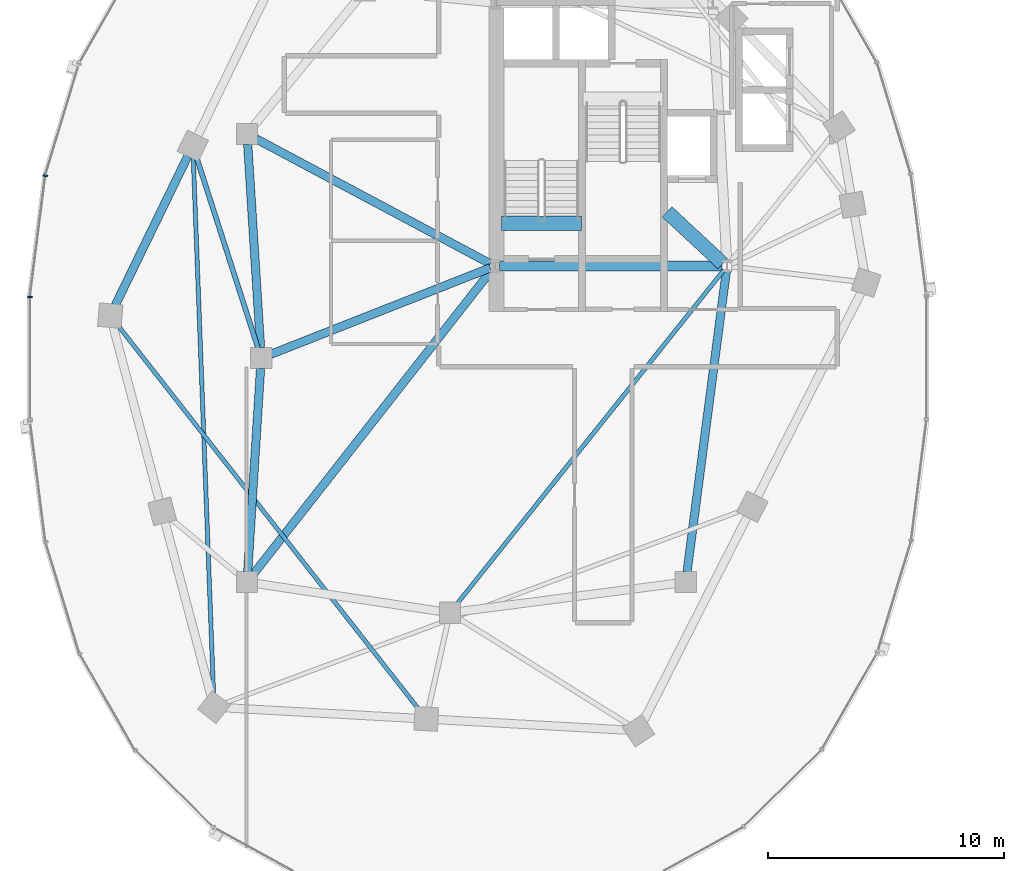
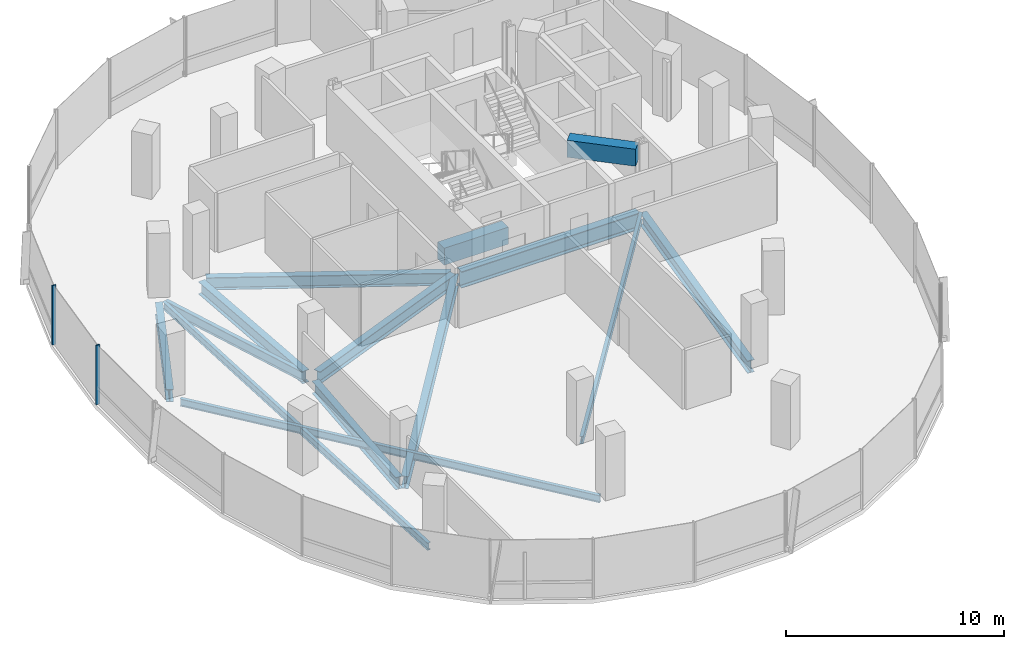
# One storey, part 3 of 21: 14 beams, 2 members, 1 element without a shape of its own.
"""IFC4 building model written with IfcOpenShell, lengths in metres."""

from ifc_helpers import new_model, si_unit, direction, frame, origin, origin_2d, place, context, subcontext, project, spatial, rectangle, i_section, extrude, material, material_profile, profile_set, type_object, element, aggregate, save


model = new_model("IFC4")

# Units and contexts
model_context = context("Model", 3, precision=1e-05, world=origin(), true_north=direction((0.0, 1.0)))
body_context = subcontext(model_context, "Body", "Model", "MODEL_VIEW")
ifc_project = project(units=[si_unit("LENGTHUNIT", "METRE"), si_unit("AREAUNIT", "SQUARE_METRE"), si_unit("VOLUMEUNIT", "CUBIC_METRE"), si_unit("PLANEANGLEUNIT", "RADIAN"), si_unit("MASSUNIT", "GRAM", prefix="KILO"), si_unit("THERMODYNAMICTEMPERATUREUNIT", "KELVIN"), si_unit("POWERUNIT", "WATT")], contexts=[model_context])

# Site, building, storey
site_placement = place(None, origin())
site = spatial("IfcSite", under=ifc_project, at=site_placement, CompositionType="ELEMENT")
building_placement = place(site_placement, origin())
building = spatial("IfcBuilding", under=site, at=building_placement, Name="Cundina Bronze Exchange", CompositionType="ELEMENT")
storey_placement = place(building_placement, frame((0.0, 0.0, 183.60009765625)))
storey = spatial("IfcBuildingStorey", under=building, at=storey_placement, Name="L48", CompositionType="ELEMENT", Elevation=183.60009765625)

# Beams
ifc_material_1 = material(Name="Concrete C60/75", Category="concrete")
ifc_material_profile_1 = material_profile(ifc_material_1, rectangle(XDim=0.60009765625, YDim=0.949951171875, at=origin_2d()), Name="RC600X950", Category="concrete")
ifc_profile_set_1 = profile_set([ifc_material_profile_1], Name="Concrete C60/75")
beam_type_1 = type_object("IfcBeamType", Name="BM-COUP-RC950", PredefinedType="LINTEL", material=ifc_profile_set_1)
beam_1_placement = place(storey_placement, frame((-31.02001953125, 5.719970703125, -0.47509765625), z_axis=(1.0, 0.0, 0.0), x_axis=(0.0, 1.0, 0.0)))
element("IfcBeam", 1, at=beam_1_placement, inside=storey, type_object=beam_type_1, Name="L48 Stair W1 Landing Header Beam", PredefinedType="LINTEL", context=body_context, shape_type="SweptSolid", body=[
    extrude(rectangle(XDim=0.60009765625, YDim=0.949951171875, at=origin_2d()), origin(), (0.0, 0.0, 1.0), 3.39990234375),
])
beam_2_placement = place(storey_placement, frame((-23.989990234375, 6.199951171875, 2.844970703125), z_axis=(0.731490439815, -0.681851696822, 0.0), x_axis=(0.681851696822, 0.731490439815, 0.0)))
element("IfcBeam", 2, at=beam_2_placement, inside=storey, type_object=beam_type_1, Name="L48 W Core Shear Coupling Lintel Beam", PredefinedType="LINTEL", context=body_context, shape_type="SweptSolid", body=[
    extrude(rectangle(XDim=0.60009765625, YDim=0.949951171875, at=origin_2d()), origin(), (0.0, 0.0, 1.0), 3.226318359375),
])
ifc_material_2 = material(Name="Steel ASTM A992 Grade 50", Category="steel")
ifc_material_profile_2 = material_profile(ifc_material_2, i_section(OverallWidth=0.2119140625, OverallDepth=0.5439453125, WebThickness=0.01318359375, FlangeThickness=0.021240234375, FilletRadius=0.013916015625, at=origin_2d()), Name="W21X83", Category="steel")
ifc_profile_set_2 = profile_set([ifc_material_profile_2], Name="Steel ASTM A992 Grade 50")
beam_type_2 = type_object("IfcBeamType", Name="BM-FLR-W21A", PredefinedType="BEAM", material=ifc_profile_set_2)
beam_3_placement = place(storey_placement, frame((-41.334228515625, 0.4169921875, -0.51220703125), z_axis=(-0.30669751302, 0.951807036908, 0.0), x_axis=(-0.951807036908, -0.30669751302, 0.0)))
element("IfcBeam", 3, at=beam_3_placement, inside=storey, type_object=beam_type_2, Name="L48 Leg W Radial Floor Beam 07", PredefinedType="BEAM", context=body_context, shape_type="SweptSolid", body=[
    extrude(i_section(OverallWidth=0.2119140625, OverallDepth=0.5439453125, WebThickness=0.01318359375, FlangeThickness=0.021240234375, FilletRadius=0.013916015625, at=origin_2d()), origin(), (0.0, 0.0, 1.0), 8.529541015625),
])
ifc_material_profile_3 = material_profile(ifc_material_2, i_section(OverallWidth=0.178955078125, OverallDepth=0.409912109375, WebThickness=0.0087890625, FlangeThickness=0.014404296875, FilletRadius=0.010986328125, at=origin_2d()), Name="W16X45", Category="steel")
ifc_profile_set_3 = profile_set([ifc_material_profile_3], Name="Steel ASTM A992 Grade 50")
beam_type_3 = type_object("IfcBeamType", Name="BM-JST-W16", PredefinedType="JOIST", material=ifc_profile_set_3)
beam_4_placement = place(storey_placement, frame((-21.577392578125, 3.740478515625, -0.445068359375), z_axis=(-0.624370675223, -0.781128196854, 0.0), x_axis=(0.781128196854, -0.624370675223, 0.0)))
element("IfcBeam", 4, at=beam_4_placement, inside=storey, type_object=beam_type_3, Name="L48 W Interior Core-to-Ring Joist 2", PredefinedType="JOIST", context=body_context, shape_type="SweptSolid", body=[
    extrude(i_section(OverallWidth=0.178955078125, OverallDepth=0.409912109375, WebThickness=0.0087890625, FlangeThickness=0.014404296875, FilletRadius=0.010986328125, at=origin_2d()), origin(), (0.0, 0.0, 1.0), 18.177001953125),
])
beam_5_placement = place(storey_placement, frame((-44.08154296875, 8.51220703125, -0.445068359375), z_axis=(0.037784933381, -0.999285894431, 0.0), x_axis=(0.999285894431, 0.037784933381, 0.0)))
element("IfcBeam", 5, at=beam_5_placement, inside=storey, type_object=beam_type_3, Name="L48 Leg W Lobe Floor Joist 07-10", PredefinedType="JOIST", context=body_context, shape_type="SweptSolid", body=[
    extrude(i_section(OverallWidth=0.178955078125, OverallDepth=0.409912109375, WebThickness=0.0087890625, FlangeThickness=0.014404296875, FilletRadius=0.010986328125, at=origin_2d()), origin(), (0.0, 0.0, 1.0), 22.8408203125),
])
beam_6_placement = place(storey_placement, frame((-47.299072265625, 1.416015625, -0.445068359375), z_axis=(0.616801484103, -0.787118751656, 0.0), x_axis=(0.787118751656, 0.616801484103, 0.0)))
element("IfcBeam", 6, at=beam_6_placement, inside=storey, type_object=beam_type_3, Name="L48 Leg W Lobe Floor Joist 08-11", PredefinedType="JOIST", context=body_context, shape_type="SweptSolid", body=[
    extrude(i_section(OverallWidth=0.178955078125, OverallDepth=0.409912109375, WebThickness=0.0087890625, FlangeThickness=0.014404296875, FilletRadius=0.010986328125, at=origin_2d()), origin(), (0.0, 0.0, 1.0), 20.7490234375),
])
ifc_material_profile_4 = material_profile(ifc_material_2, i_section(OverallWidth=0.35498046875, OverallDepth=0.695068359375, WebThickness=0.015380859375, FlangeThickness=0.02490234375, FilletRadius=0.01806640625, at=origin_2d()), Name="W27X146", Category="steel")
ifc_profile_set_4 = profile_set([ifc_material_profile_4], Name="Steel ASTM A992 Grade 50")
beam_type_4 = type_object("IfcBeamType", Name="BM-RING-W27", PredefinedType="USERDEFINED", material=ifc_profile_set_4)
for number, where, z_axis, x_axis, name in (
    (7, (-41.7724609375, 9.06298828125, -0.587646484375), (0.063046519736, -0.998010589297, 0.0), (0.998010589297, 0.063046519736, 0.0), "L48 W Inner Structural Ring Girder 03"),
    (8, (-41.2275390625, -0.43701171875, -0.587646484375), (-0.063046519736, -0.998010589297, 0.0), (0.998010589297, -0.063046519736, 0.0), "L48 W Inner Structural Ring Girder 04"),
):
    element("IfcBeam", number, at=place(storey_placement, frame(where, z_axis=z_axis, x_axis=x_axis)), inside=storey, type_object=beam_type_4, Name=name, ObjectType="GIRDER", PredefinedType="USERDEFINED", context=body_context, shape_type="SweptSolid", body=[
        extrude(i_section(OverallWidth=0.35498046875, OverallDepth=0.695068359375, WebThickness=0.015380859375, FlangeThickness=0.02490234375, FilletRadius=0.01806640625, at=origin_2d()), origin(), (0.0, 0.0, 1.0), 8.64306640625),
    ])
beam_7_placement = place(storey_placement, frame((-23.143310546875, -9.065673828125, -0.587646484375), z_axis=(0.129507030047, 0.991578503785, 0.0), x_axis=(-0.991578503785, 0.129507030047, 0.0)))
element("IfcBeam", 9, at=beam_7_placement, inside=storey, type_object=beam_type_4, Name="L48 W Inner Structural Ring Girder 07", ObjectType="GIRDER", PredefinedType="USERDEFINED", context=body_context, shape_type="SweptSolid", body=[
    extrude(i_section(OverallWidth=0.35498046875, OverallDepth=0.695068359375, WebThickness=0.015380859375, FlangeThickness=0.02490234375, FilletRadius=0.01806640625, at=origin_2d()), origin(), (0.0, 0.0, 1.0), 12.871826171875),
])
beam_8_placement = place(storey_placement, frame((-31.48974609375, 3.8251953125, -0.587646484375), z_axis=(-0.930405617189, -0.36653156413, 0.0), x_axis=(0.36653156413, -0.930405617189, 0.0)))
element("IfcBeam", 10, at=beam_8_placement, inside=storey, type_object=beam_type_4, Name="L48 W Core-to-Waist Tie Beam 1", ObjectType="GIRDER", PredefinedType="USERDEFINED", context=body_context, shape_type="SweptSolid", body=[
    extrude(i_section(OverallWidth=0.35498046875, OverallDepth=0.695068359375, WebThickness=0.015380859375, FlangeThickness=0.02490234375, FilletRadius=0.01806640625, at=origin_2d()), origin(), (0.0, 0.0, 1.0), 9.99853515625),
])
beam_9_placement = place(storey_placement, frame((-31.47998046875, 3.99609375, -0.587646484375), z_axis=(-0.88235534237, 0.470583733028, 0.0), x_axis=(-0.470583733028, -0.88235534237, 0.0)))
element("IfcBeam", 11, at=beam_9_placement, inside=storey, type_object=beam_type_4, Name="L48 W Core-to-Waist Tie Beam 2", ObjectType="GIRDER", PredefinedType="USERDEFINED", context=body_context, shape_type="SweptSolid", body=[
    extrude(i_section(OverallWidth=0.35498046875, OverallDepth=0.695068359375, WebThickness=0.015380859375, FlangeThickness=0.02490234375, FilletRadius=0.01806640625, at=origin_2d()), origin(), (0.0, 0.0, 1.0), 11.258056640625),
])
beam_10_placement = place(storey_placement, frame((-31.42578125, 3.739501953125, -0.587646484375), z_axis=(-0.616779109924, -0.787136283982, 0.0), x_axis=(0.787136283982, -0.616779109924, 0.0)))
element("IfcBeam", 12, at=beam_10_placement, inside=storey, type_object=beam_type_4, Name="L48 W Core-to-Waist Tie Beam 3", ObjectType="GIRDER", PredefinedType="USERDEFINED", context=body_context, shape_type="SweptSolid", body=[
    extrude(i_section(OverallWidth=0.35498046875, OverallDepth=0.695068359375, WebThickness=0.015380859375, FlangeThickness=0.02490234375, FilletRadius=0.01806640625, at=origin_2d()), origin(), (0.0, 0.0, 1.0), 16.3818359375),
])
beam_11_placement = place(storey_placement, frame((-44.3134765625, 8.56103515625, -0.587646484375), z_axis=(-0.437196998825, -0.89936576776, 0.0), x_axis=(0.89936576776, -0.437196998825, 0.0)))
element("IfcBeam", 13, at=beam_11_placement, inside=storey, type_object=beam_type_4, Name="L48 W Perimeter Ring Girder 07", ObjectType="GIRDER", PredefinedType="USERDEFINED", context=body_context, shape_type="SweptSolid", body=[
    extrude(i_section(OverallWidth=0.35498046875, OverallDepth=0.695068359375, WebThickness=0.015380859375, FlangeThickness=0.02490234375, FilletRadius=0.01806640625, at=origin_2d()), origin(), (0.0, 0.0, 1.0), 7.029541015625),
])
ifc_material_profile_5 = material_profile(ifc_material_2, i_section(OverallWidth=0.41796875, OverallDepth=0.927001953125, WebThickness=0.019287109375, FlangeThickness=0.031982421875, FilletRadius=0.02392578125, at=origin_2d()), Name="W36X231", Category="steel")
ifc_profile_set_5 = profile_set([ifc_material_profile_5], Name="Steel ASTM A992 Grade 50")
beam_type_5 = type_object("IfcBeamType", Name="BM-WRN-W36B", PredefinedType="USERDEFINED", material=ifc_profile_set_5)
beam_12_placement = place(storey_placement, frame((-31.095947265625, 3.89990234375, -0.70361328125), z_axis=(1.0, 0.0, 0.0), x_axis=(0.0, 1.0, 0.0)))
element("IfcBeam", 14, at=beam_12_placement, inside=storey, type_object=beam_type_5, Name="L48 W Core Perimeter Tie Girder 1", ObjectType="GIRDER", PredefinedType="USERDEFINED", context=body_context, shape_type="SweptSolid", body=[
    extrude(i_section(OverallWidth=0.41796875, OverallDepth=0.927001953125, WebThickness=0.019287109375, FlangeThickness=0.031982421875, FilletRadius=0.02392578125, at=origin_2d()), origin(), (0.0, 0.0, 1.0), 9.44189453125),
])

# Curtain wall, members
ifc_material_3 = material(Name="Anodised Bronze Aluminium 6063-T6", Category="aluminium")
curtain_wall_type = type_object("IfcCurtainWallType", Name="CWS-WST-PIN", PredefinedType="NOTDEFINED", material=ifc_material_3)
curtain_wall_placement = place(storey_placement, origin())
curtain_wall = element("IfcCurtainWall", 15, at=curtain_wall_placement, inside=storey, type_object=curtain_wall_type, Name="L48 CW-04 Curtain Wall Run CWR-L48-W2", PredefinedType="NOTDEFINED")
ifc_material_profile_6 = material_profile(ifc_material_3, rectangle(XDim=0.070068359375, YDim=0.18994140625, at=origin_2d()), Name="AL70X190", Category="aluminium")
ifc_profile_set_6 = profile_set([ifc_material_profile_6], Name="Anodised Bronze Aluminium 6063-T6")
member_type = type_object("IfcMemberType", Name="CWM-MUL-190", PredefinedType="MULLION", material=ifc_profile_set_6)
member_1_placement = place(storey_placement, frame((-50.357177734375, 7.731689453125, 0.0), z_axis=(0.0, 0.0, 1.0), x_axis=(-0.126545236492, -0.991960837494, 0.0)))
member_1 = element("IfcMember", 16, at=member_1_placement, type_object=member_type, Name="CW-04 Mullion 6", PredefinedType="MULLION", context=body_context, shape_type="SweptSolid", body=[
    extrude(rectangle(XDim=0.070068359375, YDim=0.18994140625, at=origin_2d()), origin(), (0.0, 0.0, 1.0), 3.31982421875),
])
member_2_placement = place(storey_placement, frame((-51.007080078125, 2.593017578125, 0.0), z_axis=(0.0, 0.0, 1.0), x_axis=(0.0, -1.0, 0.0)))
member_2 = element("IfcMember", 17, at=member_2_placement, type_object=member_type, Name="CW-04 Mullion 7", PredefinedType="MULLION", context=body_context, shape_type="SweptSolid", body=[
    extrude(rectangle(XDim=0.070068359375, YDim=0.18994140625, at=origin_2d()), origin(), (0.0, 0.0, 1.0), 3.31982421875),
])
aggregate(curtain_wall, [member_1, member_2])

save(model, "model.ifc")
